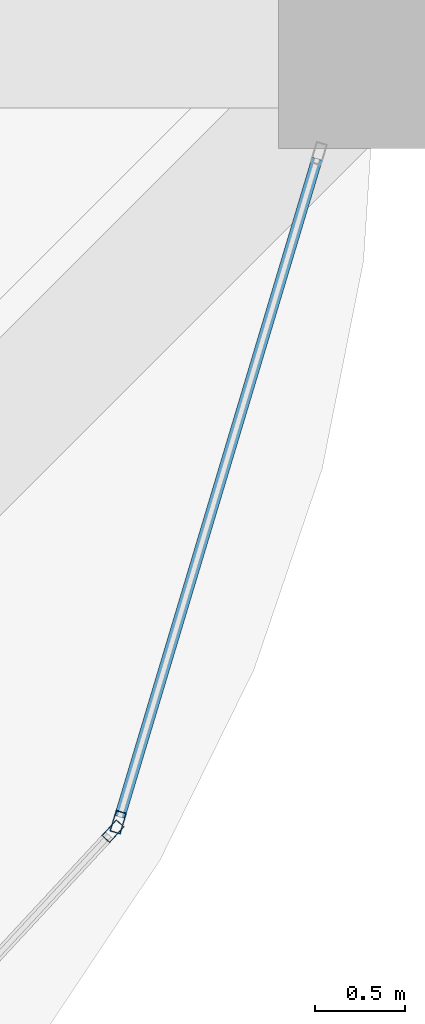
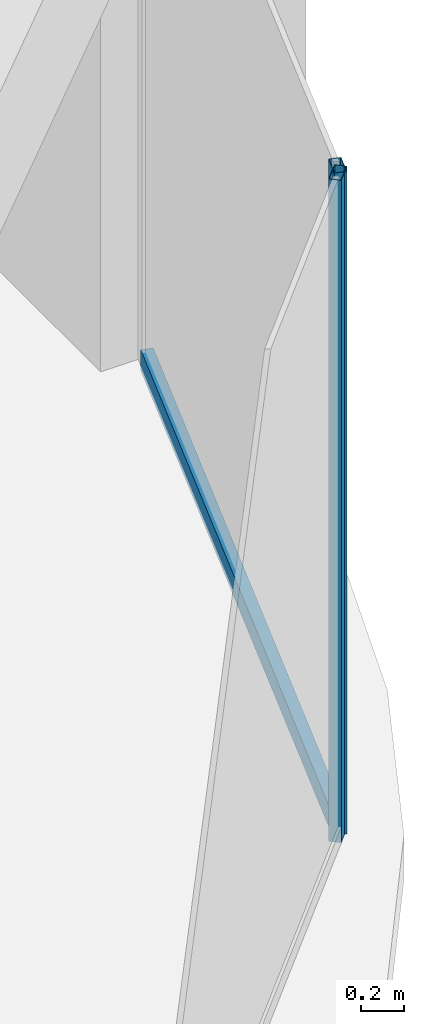
# One storey, part 20 of 45: 3 members, 2 elements without a shape of their own.
"""IFC4 building model written with IfcOpenShell, lengths in metres."""

from ifc_helpers import new_model, si_unit, direction, frame, origin, origin_2d, place, context, subcontext, project, spatial, hollow_rectangle, extrude, material, material_profile, profile_set, type_object, element, aggregate, save


model = new_model("IFC4")

# Units and contexts
model_context = context("Model", 3, precision=1e-05, world=origin(), true_north=direction((0.0, 1.0)))
body_context = subcontext(model_context, "Body", "Model", "MODEL_VIEW")
ifc_project = project(units=[si_unit("LENGTHUNIT", "METRE"), si_unit("AREAUNIT", "SQUARE_METRE"), si_unit("VOLUMEUNIT", "CUBIC_METRE"), si_unit("PLANEANGLEUNIT", "RADIAN"), si_unit("MASSUNIT", "GRAM", prefix="KILO")], contexts=[model_context])

# Site, building, storey
site_placement = place(None, origin())
site = spatial("IfcSite", under=ifc_project, at=site_placement, CompositionType="ELEMENT")
building_placement = place(site_placement, origin())
building = spatial("IfcBuilding", under=site, at=building_placement, Name="Zorevar Civic Tower", CompositionType="ELEMENT")
storey_placement = place(building_placement, frame((0.0, 0.0, 247.39990234375)))
storey = spatial("IfcBuildingStorey", under=building, at=storey_placement, Name="L60", CompositionType="ELEMENT", Elevation=247.39990234375)

# Curtain wall, member
ifc_material_1 = material(Name="Dark grey solar-control glass in black aluminium frame", Category="aluminium")
curtain_wall_type = type_object("IfcCurtainWallType", Name="Curtain wall CW5 top zone", PredefinedType="NOTDEFINED", material=ifc_material_1)
curtain_wall_1_placement = place(storey_placement, origin())
curtain_wall_1 = element("IfcCurtainWall", 1, at=curtain_wall_1_placement, inside=storey, type_object=curtain_wall_type, Name="CW5 L60", PredefinedType="NOTDEFINED")
ifc_material_2 = material(Name="Aluminium, black anodised", Category="aluminium")
ifc_material_profile_1 = material_profile(ifc_material_2, hollow_rectangle(XDim=0.06005859375, YDim=0.1201171875, WallThickness=0.0029296875, at=origin_2d()), Name="AL 120x60x3")
ifc_profile_set_1 = profile_set([ifc_material_profile_1], Name="Aluminium, black anodised")
member_type_1 = type_object("IfcMemberType", Name="CW5 mullion AL 120x60x3", PredefinedType="MULLION", material=ifc_profile_set_1)
member_1_placement = place(storey_placement, frame((52.531005859375, 4.657958984375, 0.0), z_axis=(0.0, 0.0, 1.0), x_axis=(-0.733164425234, 0.680051413917, 0.0)))
member_1 = element("IfcMember", 2, at=member_1_placement, type_object=member_type_1, Name="CW5 mullion 2", PredefinedType="MULLION", context=body_context, shape_type="SweptSolid", body=[
    extrude(hollow_rectangle(XDim=0.06005859375, YDim=0.1201171875, WallThickness=0.0029296875, at=origin_2d()), origin(), (0.0, 0.0, 1.0), 3.75),
])
aggregate(curtain_wall_1, [member_1])

# Curtain wall, members
curtain_wall_2_placement = place(storey_placement, origin())
curtain_wall_2 = element("IfcCurtainWall", 3, at=curtain_wall_2_placement, inside=storey, type_object=curtain_wall_type, Name="CW5 L60", PredefinedType="NOTDEFINED")
member_2_placement = place(storey_placement, frame((52.56005859375, 4.70849609375, 0.0), z_axis=(0.0, 0.0, 1.0), x_axis=(-0.95782550907, 0.287350472723, 0.0)))
member_2 = element("IfcMember", 4, at=member_2_placement, type_object=member_type_1, Name="CW5 mullion 1", PredefinedType="MULLION", context=body_context, shape_type="SweptSolid", body=[
    extrude(hollow_rectangle(XDim=0.06005859375, YDim=0.1201171875, WallThickness=0.0029296875, at=origin_2d()), origin(), (0.0, 0.0, 1.0), 3.75),
])
ifc_material_3 = material(Name="Aluminium, black anodised", Category="aluminium")
ifc_material_profile_2 = material_profile(ifc_material_3, hollow_rectangle(XDim=0.06005859375, YDim=0.1201171875, WallThickness=0.0029296875, at=origin_2d()), Name="AL 120x60x3")
ifc_profile_set_2 = profile_set([ifc_material_profile_2], Name="Aluminium, black anodised")
member_type_2 = type_object("IfcMemberType", Name="CW5 transom AL 120x60x3", PredefinedType="USERDEFINED", material=ifc_profile_set_2)
member_3_placement = place(storey_placement, frame((52.568603515625, 4.7373046875, 0.030029296875), z_axis=(0.28737136219, 0.95781924192, 0.0), x_axis=(-0.95781924192, 0.28737136219, 0.0)))
member_3 = element("IfcMember", 5, at=member_3_placement, type_object=member_type_2, Name="CW5 sill transom", ObjectType="TRANSOM", PredefinedType="USERDEFINED", context=body_context, shape_type="SweptSolid", body=[
    extrude(hollow_rectangle(XDim=0.06005859375, YDim=0.1201171875, WallThickness=0.0029296875, at=origin_2d()), origin(), (0.0, 0.0, 1.0), 3.816162109375),
])
aggregate(curtain_wall_2, [member_2, member_3])

save(model, "model.ifc")
